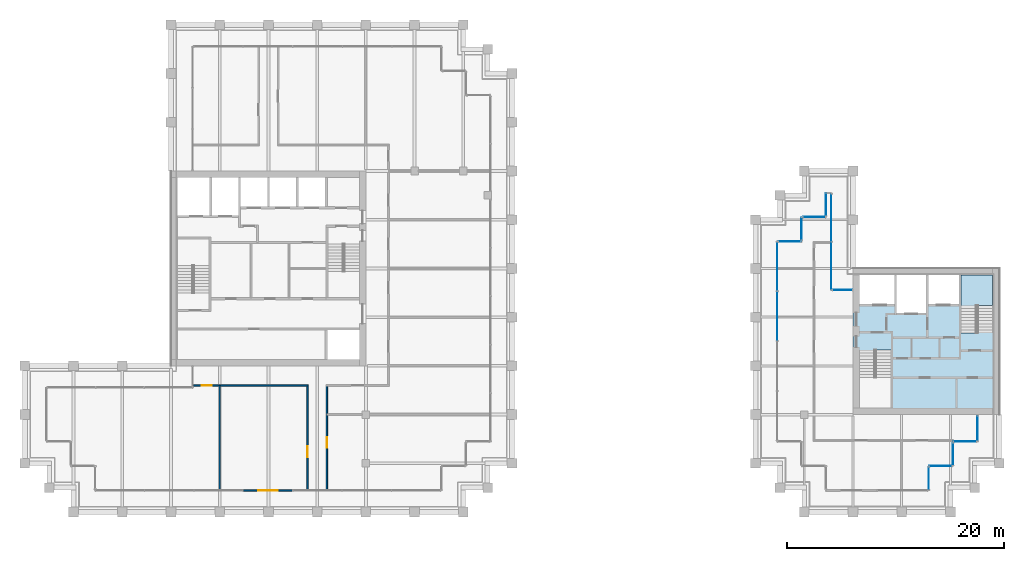
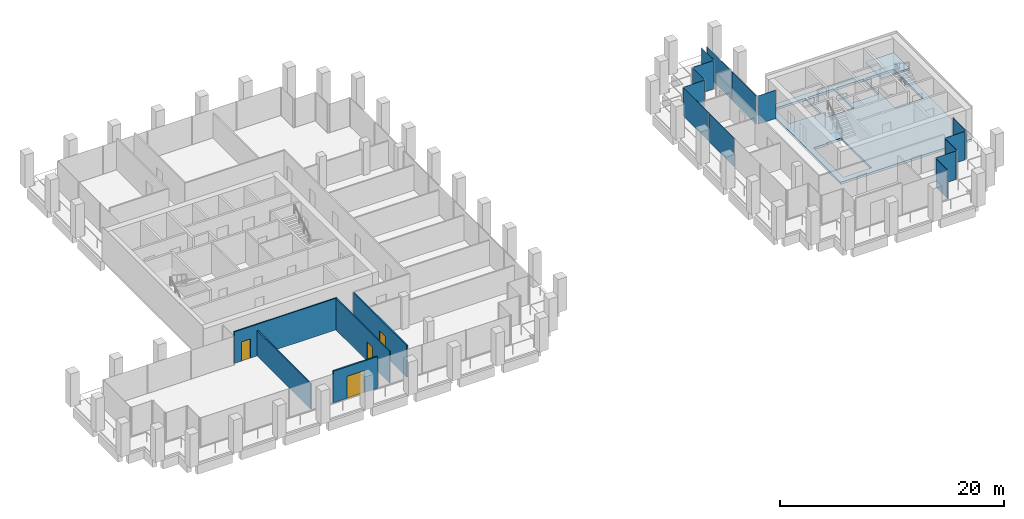
# One storey, part 35 of 40: 14 plates, 5 walls, 4 doors, 2 slabs, 4 openings, 13 elements without a shape of their own.
"""IFC4 building model written with IfcOpenShell, lengths in metres."""

from ifc_helpers import new_model, si_unit, direction, frame, frame_2d, origin, origin_2d, place, context, subcontext, project, spatial, polyline, rectangle, outline, extrude, material, layer, layer_set, type_object, element, fill, aggregate, save


model = new_model("IFC4")

# Units and contexts
model_context = context("Model", 3, precision=1e-05, world=origin(), true_north=direction((0.0, 1.0)))
body_context = subcontext(model_context, "Body", "Model", "MODEL_VIEW")
ifc_project = project(units=[si_unit("LENGTHUNIT", "METRE"), si_unit("AREAUNIT", "SQUARE_METRE"), si_unit("VOLUMEUNIT", "CUBIC_METRE"), si_unit("PLANEANGLEUNIT", "RADIAN"), si_unit("MASSUNIT", "GRAM", prefix="KILO")], contexts=[model_context])

# Site, building, storey
site_placement = place(None, origin())
site = spatial("IfcSite", under=ifc_project, at=site_placement, CompositionType="ELEMENT")
building_placement = place(site_placement, origin())
building = spatial("IfcBuilding", under=site, at=building_placement, Name="Altepetl Exchange Towers", CompositionType="ELEMENT")
storey_placement = place(building_placement, frame((0.0, 0.0, 147.39990234375)))
storey = spatial("IfcBuildingStorey", under=building, at=storey_placement, Name="L36", CompositionType="ELEMENT", Elevation=147.39990234375)

# Slab
ifc_material_1 = material(Name="Concrete C40/50", Category="concrete")
ifc_layer_1 = layer(ifc_material_1, 0.25)
ifc_layer_set_1 = layer_set([ifc_layer_1], Name="Concrete C40/50")
slab_type_1 = type_object("IfcSlabType", Name="Core floor slab 250", PredefinedType="FLOOR", material=ifc_layer_set_1)
slab_1_placement = place(storey_placement, frame((0.0, 0.0, -0.25)))
element("IfcSlab", 1, at=slab_1_placement, inside=storey, type_object=slab_type_1, Name="slab:B:L36:core0", PredefinedType="FLOOR", context=body_context, shape_type="SweptSolid", body=[
    extrude(outline(polyline([(103.5, 36.0), (117.0, 36.0), (117.0, 49.5), (103.5, 49.5), (103.5, 36.0)]), holes=[polyline([(107.0, 36.60009765625), (104.10009765625, 36.60009765625), (104.10009765625, 41.85009765625), (105.5, 41.85009765625), (105.5, 41.948974609375), (107.0, 41.948974609375), (107.0, 36.60009765625)]), polyline([(113.5, 48.89990234375), (116.39990234375, 48.89990234375), (116.39990234375, 43.64990234375), (115.0, 43.64990234375), (115.0, 43.551025390625), (113.5, 43.551025390625), (113.5, 48.89990234375)]), polyline([(107.532958984375, 45.39990234375), (107.532958984375, 48.89990234375), (110.26708984375, 48.89990234375), (110.26708984375, 45.39990234375), (107.532958984375, 45.39990234375)]), polyline([(104.10009765625, 48.89990234375), (107.3330078125, 48.89990234375), (107.3330078125, 46.199951171875), (104.10009765625, 46.199951171875), (104.10009765625, 48.89990234375)]), polyline([(110.467041015625, 48.89990234375), (113.300048828125, 48.89990234375), (113.300048828125, 46.199951171875), (110.467041015625, 46.199951171875), (110.467041015625, 48.89990234375)])]), origin(), (0.0, 0.0, 1.0), 0.25),
])

# Curtain wall, plate
ifc_material_2 = material(Name="Aluminium 6063-T6 glazing", Category="aluminium")
curtain_wall_type = type_object("IfcCurtainWallType", Name="Loggia glazing system", PredefinedType="NOTDEFINED", material=ifc_material_2)
curtain_wall_1_placement = place(storey_placement, origin())
curtain_wall_1 = element("IfcCurtainWall", 2, at=curtain_wall_1_placement, inside=storey, type_object=curtain_wall_type, Name="CW1 run", PredefinedType="NOTDEFINED")
ifc_material_3 = material(Name="Glass 6-16-6 low emissivity", Category="glass")
ifc_layer_2 = layer(ifc_material_3, 0.028076171875)
ifc_layer_set_2 = layer_set([ifc_layer_2], Name="Glass 6-16-6 low emissivity")
plate_type = type_object("IfcPlateType", Name="Glass panel 28 double glazed", PredefinedType="CURTAIN_PANEL", material=ifc_layer_set_2)
plate_1_placement = place(storey_placement, frame((110.5, 30.08740234375, 0.0), z_axis=(0.0, 0.0, 1.0), x_axis=(0.0, 1.0, 0.0)))
plate_1 = element("IfcPlate", 3, at=plate_1_placement, type_object=plate_type, Name="GP1 panel", PredefinedType="CURTAIN_PANEL", context=body_context, shape_type="SweptSolid", body=[
    extrude(rectangle(XDim=2.054931640625, YDim=0.028076171875, at=origin_2d()), origin(), (0.0, 0.0, 1.0), 3.10009765625),
])
aggregate(curtain_wall_1, [plate_1])

curtain_wall_2_placement = place(storey_placement, origin())
curtain_wall_2 = element("IfcCurtainWall", 4, at=curtain_wall_2_placement, inside=storey, type_object=curtain_wall_type, Name="CW1 run", PredefinedType="NOTDEFINED")
plate_2_placement = place(storey_placement, frame((111.58740234375, 31.25, 0.0)))
plate_2 = element("IfcPlate", 5, at=plate_2_placement, type_object=plate_type, Name="GP1 panel", PredefinedType="CURTAIN_PANEL", context=body_context, shape_type="SweptSolid", body=[
    extrude(rectangle(XDim=2.054931640625, YDim=0.028076171875, at=origin_2d()), origin(), (0.0, 0.0, 1.0), 3.10009765625),
])
aggregate(curtain_wall_2, [plate_2])

curtain_wall_3_placement = place(storey_placement, origin())
curtain_wall_3 = element("IfcCurtainWall", 6, at=curtain_wall_3_placement, inside=storey, type_object=curtain_wall_type, Name="CW1 run", PredefinedType="NOTDEFINED")
plate_3_placement = place(storey_placement, frame((112.75, 32.33740234375, 0.0), z_axis=(0.0, 0.0, 1.0), x_axis=(0.0, 1.0, 0.0)))
plate_3 = element("IfcPlate", 7, at=plate_3_placement, type_object=plate_type, Name="GP1 panel", PredefinedType="CURTAIN_PANEL", context=body_context, shape_type="SweptSolid", body=[
    extrude(rectangle(XDim=2.054931640625, YDim=0.028076171875, at=origin_2d()), origin(), (0.0, 0.0, 1.0), 3.10009765625),
])
aggregate(curtain_wall_3, [plate_3])

curtain_wall_4_placement = place(storey_placement, origin())
curtain_wall_4 = element("IfcCurtainWall", 8, at=curtain_wall_4_placement, inside=storey, type_object=curtain_wall_type, Name="CW1 run", PredefinedType="NOTDEFINED")
plate_4_placement = place(storey_placement, frame((113.83740234375, 33.5, 0.0)))
plate_4 = element("IfcPlate", 9, at=plate_4_placement, type_object=plate_type, Name="GP1 panel", PredefinedType="CURTAIN_PANEL", context=body_context, shape_type="SweptSolid", body=[
    extrude(rectangle(XDim=2.054931640625, YDim=0.028076171875, at=origin_2d()), origin(), (0.0, 0.0, 1.0), 3.10009765625),
])
aggregate(curtain_wall_4, [plate_4])

curtain_wall_5_placement = place(storey_placement, origin())
curtain_wall_5 = element("IfcCurtainWall", 10, at=curtain_wall_5_placement, inside=storey, type_object=curtain_wall_type, Name="CW1 run", PredefinedType="NOTDEFINED")
plate_5_placement = place(storey_placement, frame((115.0, 34.71240234375, 0.0), z_axis=(0.0, 0.0, 1.0), x_axis=(0.0, 1.0, 0.0)))
plate_5 = element("IfcPlate", 11, at=plate_5_placement, type_object=plate_type, Name="GP1 panel", PredefinedType="CURTAIN_PANEL", context=body_context, shape_type="SweptSolid", body=[
    extrude(rectangle(XDim=2.304931640625, YDim=0.028076171875, at=origin_2d()), origin(), (0.0, 0.0, 1.0), 3.10009765625),
])
aggregate(curtain_wall_5, [plate_5])

curtain_wall_6_placement = place(storey_placement, origin())
curtain_wall_6 = element("IfcCurtainWall", 12, at=curtain_wall_6_placement, inside=storey, type_object=curtain_wall_type, Name="CW1 run", PredefinedType="NOTDEFINED")
plate_6_placement = place(storey_placement, frame((102.53759765625, 47.5, 0.0), z_axis=(0.0, 0.0, 1.0), x_axis=(-1.0, 0.0, 0.0)))
plate_6 = element("IfcPlate", 13, at=plate_6_placement, type_object=plate_type, Name="GP1 panel", PredefinedType="CURTAIN_PANEL", context=body_context, shape_type="SweptSolid", body=[
    extrude(rectangle(XDim=1.804931640625, YDim=0.028076171875, at=origin_2d()), origin(), (0.0, 0.0, 1.0), 3.10009765625),
])
aggregate(curtain_wall_6, [plate_6])

# Curtain wall, plates
curtain_wall_7_placement = place(storey_placement, origin())
curtain_wall_7 = element("IfcCurtainWall", 14, at=curtain_wall_7_placement, inside=storey, type_object=curtain_wall_type, Name="CW1 run", PredefinedType="NOTDEFINED")
plate_7_placement = place(storey_placement, frame((101.5, 49.746337890625, 0.0), z_axis=(0.0, 0.0, 1.0), x_axis=(0.0, 1.0, 0.0)))
plate_7 = element("IfcPlate", 15, at=plate_7_placement, type_object=plate_type, Name="GP1 panel", PredefinedType="CURTAIN_PANEL", context=body_context, shape_type="SweptSolid", body=[
    extrude(rectangle(XDim=4.37255859375, YDim=0.028076171875, at=origin_2d()), origin(), (0.0, 0.0, 1.0), 3.10009765625),
])
plate_8_placement = place(storey_placement, frame((101.5, 54.1787109375, 0.0), z_axis=(0.0, 0.0, 1.0), x_axis=(0.0, 1.0, 0.0)))
plate_8 = element("IfcPlate", 16, at=plate_8_placement, type_object=plate_type, Name="GP1 panel", PredefinedType="CURTAIN_PANEL", context=body_context, shape_type="SweptSolid", body=[
    extrude(rectangle(XDim=4.37255859375, YDim=0.028076171875, at=origin_2d()), origin(), (0.0, 0.0, 1.0), 3.10009765625),
])
aggregate(curtain_wall_7, [plate_7, plate_8])

# Curtain wall, plate
curtain_wall_8_placement = place(storey_placement, origin())
curtain_wall_8 = element("IfcCurtainWall", 17, at=curtain_wall_8_placement, inside=storey, type_object=curtain_wall_type, Name="CW1 run", PredefinedType="NOTDEFINED")
plate_9_placement = place(storey_placement, frame((101.0, 55.41259765625, 0.0), z_axis=(0.0, 0.0, 1.0), x_axis=(0.0, -1.0, 0.0)))
plate_9 = element("IfcPlate", 18, at=plate_9_placement, type_object=plate_type, Name="GP1 panel", PredefinedType="CURTAIN_PANEL", context=body_context, shape_type="SweptSolid", body=[
    extrude(rectangle(XDim=2.054931640625, YDim=0.028076171875, at=origin_2d()), origin(), (0.0, 0.0, 1.0), 3.10009765625),
])
aggregate(curtain_wall_8, [plate_9])

curtain_wall_9_placement = place(storey_placement, origin())
curtain_wall_9 = element("IfcCurtainWall", 19, at=curtain_wall_9_placement, inside=storey, type_object=curtain_wall_type, Name="CW1 run", PredefinedType="NOTDEFINED")
plate_10_placement = place(storey_placement, frame((99.91259765625, 54.25, 0.0), z_axis=(0.0, 0.0, 1.0), x_axis=(-1.0, 0.0, 0.0)))
plate_10 = element("IfcPlate", 20, at=plate_10_placement, type_object=plate_type, Name="GP1 panel", PredefinedType="CURTAIN_PANEL", context=body_context, shape_type="SweptSolid", body=[
    extrude(rectangle(XDim=2.054931640625, YDim=0.028076171875, at=origin_2d()), origin(), (0.0, 0.0, 1.0), 3.10009765625),
])
aggregate(curtain_wall_9, [plate_10])

curtain_wall_10_placement = place(storey_placement, origin())
curtain_wall_10 = element("IfcCurtainWall", 21, at=curtain_wall_10_placement, inside=storey, type_object=curtain_wall_type, Name="CW1 run", PredefinedType="NOTDEFINED")
plate_11_placement = place(storey_placement, frame((98.75, 53.16259765625, 0.0), z_axis=(0.0, 0.0, 1.0), x_axis=(0.0, -1.0, 0.0)))
plate_11 = element("IfcPlate", 22, at=plate_11_placement, type_object=plate_type, Name="GP1 panel", PredefinedType="CURTAIN_PANEL", context=body_context, shape_type="SweptSolid", body=[
    extrude(rectangle(XDim=2.054931640625, YDim=0.028076171875, at=origin_2d()), origin(), (0.0, 0.0, 1.0), 3.10009765625),
])
aggregate(curtain_wall_10, [plate_11])

curtain_wall_11_placement = place(storey_placement, origin())
curtain_wall_11 = element("IfcCurtainWall", 23, at=curtain_wall_11_placement, inside=storey, type_object=curtain_wall_type, Name="CW1 run", PredefinedType="NOTDEFINED")
plate_12_placement = place(storey_placement, frame((97.66259765625, 52.0, 0.0), z_axis=(0.0, 0.0, 1.0), x_axis=(-1.0, 0.0, 0.0)))
plate_12 = element("IfcPlate", 24, at=plate_12_placement, type_object=plate_type, Name="GP1 panel", PredefinedType="CURTAIN_PANEL", context=body_context, shape_type="SweptSolid", body=[
    extrude(rectangle(XDim=2.054931640625, YDim=0.028076171875, at=origin_2d()), origin(), (0.0, 0.0, 1.0), 3.10009765625),
])
aggregate(curtain_wall_11, [plate_12])

# Curtain wall, plates
curtain_wall_12_placement = place(storey_placement, origin())
curtain_wall_12 = element("IfcCurtainWall", 25, at=curtain_wall_12_placement, inside=storey, type_object=curtain_wall_type, Name="CW1 run", PredefinedType="NOTDEFINED")
plate_13_placement = place(storey_placement, frame((96.5, 49.681884765625, 0.0), z_axis=(0.0, 0.0, 1.0), x_axis=(0.0, -1.0, 0.0)))
plate_13 = element("IfcPlate", 26, at=plate_13_placement, type_object=plate_type, Name="GP1 panel", PredefinedType="CURTAIN_PANEL", context=body_context, shape_type="SweptSolid", body=[
    extrude(rectangle(XDim=4.516357421875, YDim=0.028076171875, at=origin_2d()), origin(), (0.0, 0.0, 1.0), 3.10009765625),
])
plate_14_placement = place(storey_placement, frame((96.5, 45.090576171875, 0.0), z_axis=(0.0, 0.0, 1.0), x_axis=(0.0, -1.0, 0.0)))
plate_14 = element("IfcPlate", 27, at=plate_14_placement, type_object=plate_type, Name="GP1 panel", PredefinedType="CURTAIN_PANEL", context=body_context, shape_type="SweptSolid", body=[
    extrude(rectangle(XDim=4.546142578125, YDim=0.028076171875, at=origin_2d()), origin(), (0.0, 0.0, 1.0), 3.10009765625),
])
aggregate(curtain_wall_12, [plate_13, plate_14])

# Stair, slab
stair_type = type_object("IfcStairType", Name="Exit stair 1400 flights dogleg", PredefinedType="HALF_TURN_STAIR", material=ifc_material_1)
stair_placement = place(storey_placement, origin())
stair = element("IfcStair", 28, at=stair_placement, inside=storey, type_object=stair_type, Name="Exit stair 2", PredefinedType="HALF_TURN_STAIR")
ifc_layer_3 = layer(ifc_material_1, 0.199951171875)
ifc_layer_set_3 = layer_set([ifc_layer_3], Name="Concrete C40/50")
slab_type_2 = type_object("IfcSlabType", Name="Stair landing 200 reinforced concrete", PredefinedType="LANDING", material=ifc_layer_set_3)
slab_2_placement = place(storey_placement, frame((0.0, 0.0, 1.60009765625)))
slab_2 = element("IfcSlab", 29, at=slab_2_placement, type_object=slab_type_2, Name="ST-B2e landing 1", PredefinedType="LANDING", context=body_context, shape_type="SweptSolid", body=[
    extrude(outline(polyline([(114.89990234375, 45.969970703125), (113.5, 45.969970703125), (113.5, 46.070068359375), (113.5, 48.89990234375), (116.39990234375, 48.89990234375), (116.39990234375, 46.070068359375), (116.39990234375, 46.0693359375), (115.0, 46.0693359375), (115.0, 46.070068359375), (114.89990234375, 46.070068359375), (114.89990234375, 45.969970703125)])), origin(), (0.0, 0.0, 1.0), 0.199951171875),
])
aggregate(stair, [slab_2])

# Wall, opening, door
ifc_material_4 = material(Name="Aluminium composite cladding", Category="aluminium")
ifc_layer_4 = layer(ifc_material_4, 0.14990234375)
ifc_layer_set_4 = layer_set([ifc_layer_4], Name="Aluminium composite cladding")
wall_type_1 = type_object("IfcWallType", Name="Infill wall 150 aluminium panel", PredefinedType="SOLIDWALL", material=ifc_layer_set_4)
wall_1_placement = place(storey_placement, frame((47.18212890625, 29.0, 0.0)))
wall_1 = element("IfcWall", 30, at=wall_1_placement, inside=storey, type_object=wall_type_1, Name="Loggia door bay wall", PredefinedType="SOLIDWALL", context=body_context, shape_type="SweptSolid", body=[
    extrude(rectangle(XDim=4.560791015625, YDim=0.14990234375, at=frame_2d((2.2802734375, 0.0))), origin(), (0.0, 0.0, 1.0), 3.4501953125),
])
opening_1_placement = place(wall_1_placement, frame((1.38037109375, 0.0, 0.0)))
opening_1 = element("IfcOpeningElement", 31, at=opening_1_placement, cuts=wall_1, Name="Opening L36.A90", PredefinedType="OPENING", context=body_context, shape_type="SweptSolid", body=[
    extrude(rectangle(XDim=1.800048828125, YDim=2.39990234375, at=frame_2d((0.89990234375, 1.199951171875))), frame((0.0, 0.0849609375, 0.0), z_axis=(0.0, -1.0, 0.0), x_axis=(1.0, 0.0, 0.0)), (0.0, 0.0, 1.0), 0.169921875),
])
ifc_material_5 = material(Name="Aluminium 6063-T6 and glass", Category="aluminium")
door_type_1 = type_object("IfcDoorType", Name="Glazed door pair 1800x2400", OperationType="DOUBLE_DOOR_DOUBLE_SWING", PredefinedType="NOTDEFINED", material=ifc_material_5)
door_1_placement = place(opening_1_placement, frame((1.800048828125, 0.0, 0.0), x_axis=(-1.0, 0.0, 0.0)))
door_1 = element("IfcDoor", 32, at=door_1_placement, inside=storey, type_object=door_type_1, Name="Loggia door", OperationType="DOUBLE_DOOR_DOUBLE_SWING", OverallHeight=2.39990234375, OverallWidth=1.800048828125, PredefinedType="NOTDEFINED", context=body_context, shape_type="SweptSolid", body=[
    extrude(rectangle(XDim=1.800048828125, YDim=2.39990234375, at=frame_2d((0.89990234375, 1.199951171875))), frame((0.0, 0.02490234375, 0.0), z_axis=(0.0, -1.0, 0.0), x_axis=(1.0, 0.0, 0.0)), (0.0, 0.0, 1.0), 0.050048828125),
])
fill(opening_1, door_1)

ifc_material_6 = material(Name="Gypsum board on steel studs", Category="steel")
ifc_layer_5 = layer(ifc_material_6, 0.125)
ifc_layer_set_5 = layer_set([ifc_layer_5], Name="Gypsum board on steel studs")
wall_type_2 = type_object("IfcWallType", Name="Partition 125 gypsum board on steel studs", PredefinedType="PARTITIONING", material=ifc_layer_set_5)
wall_2_placement = place(storey_placement, frame((42.60009765625, 38.699951171875, 0.0)))
wall_2 = element("IfcWall", 33, at=wall_2_placement, inside=storey, type_object=wall_type_2, Name="wall:A:L36:P03", PredefinedType="PARTITIONING", context=body_context, shape_type="SweptSolid", body=[
    extrude(rectangle(XDim=10.5625, YDim=0.125, at=frame_2d((5.28125, 0.0))), origin(), (0.0, 0.0, 1.0), 3.4501953125),
])
opening_2_placement = place(wall_2_placement, frame((0.75, 0.0, 0.0)))
opening_2 = element("IfcOpeningElement", 34, at=opening_2_placement, cuts=wall_2, Name="Opening L36.A01", PredefinedType="OPENING", context=body_context, shape_type="SweptSolid", body=[
    extrude(rectangle(XDim=0.89990234375, YDim=2.10009765625, at=frame_2d((0.449951171875, 1.050048828125))), frame((0.0, 0.072509765625, 0.0), z_axis=(0.0, -1.0, 0.0), x_axis=(1.0, 0.0, 0.0)), (0.0, 0.0, 1.0), 0.14501953125),
])
ifc_material_7 = material(Name="Steel and timber fire door", Category="steel")
door_type_2 = type_object("IfcDoorType", Name="Fire door 900 x 2100 single leaf", OperationType="SINGLE_SWING_LEFT", PredefinedType="DOOR", material=ifc_material_7)
door_2_placement = place(opening_2_placement, frame((0.89990234375, 0.0, 0.0), x_axis=(-1.0, 0.0, 0.0)))
door_2 = element("IfcDoor", 35, at=door_2_placement, inside=storey, type_object=door_type_2, Name="door:A:L36:01", OperationType="SINGLE_SWING_RIGHT", OverallHeight=2.10009765625, OverallWidth=0.89990234375, PredefinedType="DOOR", context=body_context, shape_type="SweptSolid", body=[
    extrude(rectangle(XDim=0.89990234375, YDim=2.10009765625, at=frame_2d((0.449951171875, 1.050048828125))), frame((0.0, 0.02490234375, 0.0), z_axis=(0.0, -1.0, 0.0), x_axis=(1.0, 0.0, 0.0)), (0.0, 0.0, 1.0), 0.050048828125),
])
fill(opening_2, door_2)

# Wall
wall_3_placement = place(storey_placement, frame((45.0, 29.10009765625, 0.0), z_axis=(0.0, 0.0, 1.0), x_axis=(0.0, 1.0, 0.0)))
element("IfcWall", 36, at=wall_3_placement, inside=storey, type_object=wall_type_2, Name="wall:A:L36:P14", PredefinedType="PARTITIONING", context=body_context, shape_type="SweptSolid", body=[
    extrude(rectangle(XDim=9.599853515625, YDim=0.125, at=frame_2d((4.7998046875, 0.0))), origin(), (0.0, 0.0, 1.0), 2.76611328125),
])

# Wall, opening, door
wall_4_placement = place(storey_placement, frame((53.10009765625, 29.10009765625, 0.0), z_axis=(0.0, 0.0, 1.0), x_axis=(0.0, 1.0, 0.0)))
wall_4 = element("IfcWall", 37, at=wall_4_placement, inside=storey, type_object=wall_type_2, Name="wall:A:L36:P17", PredefinedType="PARTITIONING", context=body_context, shape_type="SweptSolid", body=[
    extrude(rectangle(XDim=9.537353515625, YDim=0.125, at=frame_2d((4.7685546875, 0.0))), origin(), (0.0, 0.0, 1.0), 3.4501953125),
])
opening_3_placement = place(wall_4_placement, frame((2.952880859375, 0.0, 0.0)))
opening_3 = element("IfcOpeningElement", 38, at=opening_3_placement, cuts=wall_4, Name="Opening L36.A02", PredefinedType="OPENING", context=body_context, shape_type="SweptSolid", body=[
    extrude(rectangle(XDim=1.0, YDim=2.10009765625, at=frame_2d((0.5, 1.050048828125))), frame((0.0, 0.072509765625, 0.0), z_axis=(0.0, -1.0, 0.0), x_axis=(1.0, 0.0, 0.0)), (0.0, 0.0, 1.0), 0.14501953125),
])
door_type_3 = type_object("IfcDoorType", Name="Fire door 1000 x 2100 single leaf", OperationType="SINGLE_SWING_LEFT", PredefinedType="DOOR", material=ifc_material_7)
door_3_placement = place(opening_3_placement, origin())
door_3 = element("IfcDoor", 39, at=door_3_placement, inside=storey, type_object=door_type_3, Name="door:A:L36:02", OperationType="SINGLE_SWING_RIGHT", OverallHeight=2.10009765625, OverallWidth=1.0, PredefinedType="DOOR", context=body_context, shape_type="SweptSolid", body=[
    extrude(rectangle(XDim=1.0, YDim=2.10009765625, at=frame_2d((0.5, 1.050048828125))), frame((0.0, 0.02490234375, 0.0), z_axis=(0.0, -1.0, 0.0), x_axis=(1.0, 0.0, 0.0)), (0.0, 0.0, 1.0), 0.050048828125),
])
fill(opening_3, door_3)

wall_5_placement = place(storey_placement, frame((54.89990234375, 29.10009765625, 0.0), z_axis=(0.0, 0.0, 1.0), x_axis=(0.0, 1.0, 0.0)))
wall_5 = element("IfcWall", 40, at=wall_5_placement, inside=storey, type_object=wall_type_2, Name="wall:A:L36:P18", PredefinedType="PARTITIONING", context=body_context, shape_type="SweptSolid", body=[
    extrude(rectangle(XDim=9.537353515625, YDim=0.125, at=frame_2d((4.7685546875, 0.0))), origin(), (0.0, 0.0, 1.0), 3.4501953125),
])
opening_4_placement = place(wall_5_placement, frame((3.824951171875, 0.0, 0.0)))
opening_4 = element("IfcOpeningElement", 41, at=opening_4_placement, cuts=wall_5, Name="Opening L36.A03", PredefinedType="OPENING", context=body_context, shape_type="SweptSolid", body=[
    extrude(rectangle(XDim=1.0, YDim=2.10009765625, at=frame_2d((0.5, 1.050048828125))), frame((0.0, 0.072509765625, 0.0), z_axis=(0.0, -1.0, 0.0), x_axis=(1.0, 0.0, 0.0)), (0.0, 0.0, 1.0), 0.14501953125),
])
door_4_placement = place(opening_4_placement, frame((1.0, 0.0, 0.0), x_axis=(-1.0, 0.0, 0.0)))
door_4 = element("IfcDoor", 42, at=door_4_placement, inside=storey, type_object=door_type_3, Name="door:A:L36:03", OperationType="SINGLE_SWING_LEFT", OverallHeight=2.10009765625, OverallWidth=1.0, PredefinedType="DOOR", context=body_context, shape_type="SweptSolid", body=[
    extrude(rectangle(XDim=1.0, YDim=2.10009765625, at=frame_2d((0.5, 1.050048828125))), frame((0.0, 0.02490234375, 0.0), z_axis=(0.0, -1.0, 0.0), x_axis=(1.0, 0.0, 0.0)), (0.0, 0.0, 1.0), 0.050048828125),
])
fill(opening_4, door_4)

save(model, "model.ifc")
